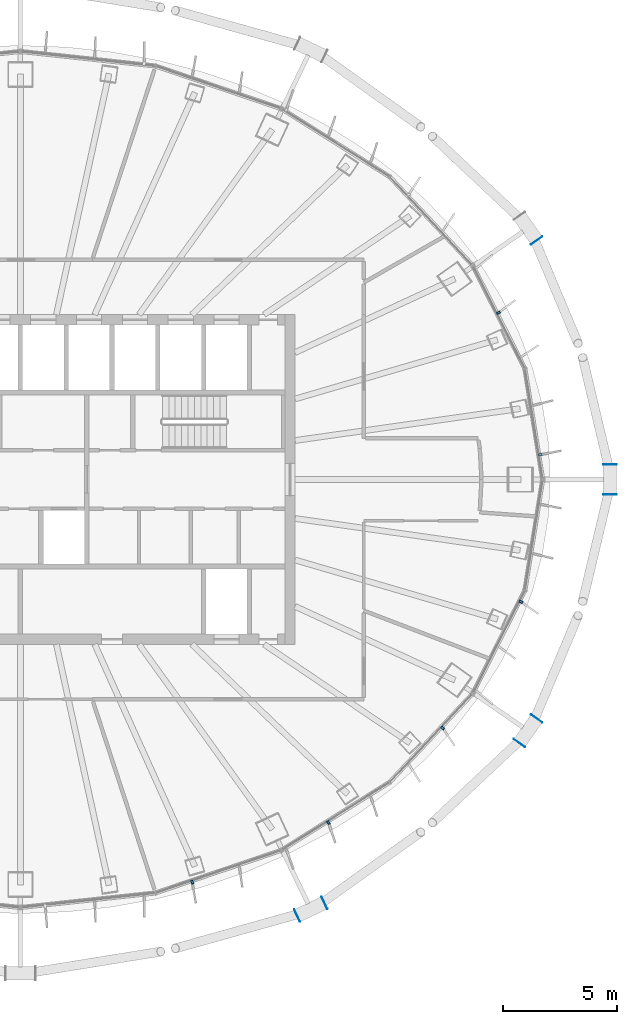
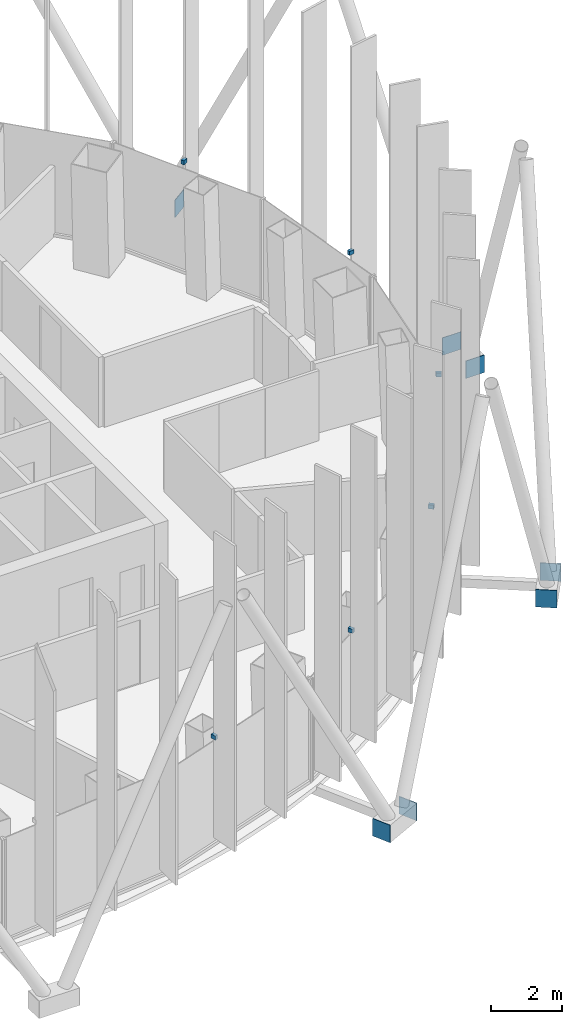
# One storey, part 12 of 17: 13 discrete accessories.
"""IFC4 building model written with IfcOpenShell, lengths in metres."""

from ifc_helpers import new_model, si_unit, direction, frame, origin, origin_2d, place, context, subcontext, project, spatial, rectangle, extrude, material, layer, layer_set, type_object, element, save


model = new_model("IFC4")

# Units and contexts
model_context = context("Model", 3, precision=1e-05, world=origin(), true_north=direction((0.0, 1.0)))
body_context = subcontext(model_context, "Body", "Model", "MODEL_VIEW")
ifc_project = project(units=[si_unit("LENGTHUNIT", "METRE"), si_unit("AREAUNIT", "SQUARE_METRE"), si_unit("VOLUMEUNIT", "CUBIC_METRE"), si_unit("PLANEANGLEUNIT", "RADIAN"), si_unit("MASSUNIT", "GRAM", prefix="KILO")], contexts=[model_context])

# Site, building, storey
site_placement = place(None, origin())
site = spatial("IfcSite", under=ifc_project, at=site_placement, CompositionType="ELEMENT")
building_placement = place(site_placement, origin())
building = spatial("IfcBuilding", under=site, at=building_placement, Name="Siaravel Broadcast Tower", CompositionType="ELEMENT")
storey_placement = place(building_placement, frame((0.0, 0.0, 190.39990234375)))
storey = spatial("IfcBuildingStorey", under=building, at=storey_placement, Name="L46", CompositionType="ELEMENT", Elevation=190.39990234375)

# Discrete accessories
ifc_material_1 = material(Name="Stainless steel 316", Category="steel")
discrete_accessory_type_1 = type_object("IfcDiscreteAccessoryType", Name="Stainless steel fin bracket", PredefinedType="USERDEFINED", material=ifc_material_1)
for number, where, z_axis, x_axis, name in (
    (1, (22.70703125, 1.08349609375, 3.68017578125), (0.0, 0.0, 1.0), (0.987329198, 0.158685394, 0.0), "Fin bracket L46-01"),
    (2, (20.876220703125, 7.28173828125, 3.68017578125), (0.0, 0.0, 1.0), (0.892392151, 0.451260732, 0.0), "Fin bracket L46-04"),
    (3, (7.502685546875, -17.58740234375, 3.68017578125), (0.0, 0.0, 1.0), (0.321300635, -0.946977245, 0.0), "Fin bracket L46-49"),
    (4, (13.450439453125, -14.985595703125, 3.68017578125), (0.0, 0.0, 1.0), (0.532149452, -0.846650436, 0.0), "Fin bracket L46-52"),
    (5, (18.441650390625, -10.851318359375, 3.68017578125), (0.0, 0.0, 1.0), (0.729805608, -0.683654718, 0.0), "Fin bracket L46-55"),
    (6, (21.856689453125, -5.34326171875, 3.68017578125), (0.0, 0.0, 1.0), (0.892392151, -0.451260732, 0.0), "Fin bracket L46-58"),
):
    element("IfcDiscreteAccessory", number, at=place(storey_placement, frame(where, z_axis=z_axis, x_axis=x_axis)), inside=storey, type_object=discrete_accessory_type_1, Name=name, ObjectType="BRACKET", PredefinedType="USERDEFINED", context=body_context, shape_type="SweptSolid", body=[
        extrude(rectangle(XDim=0.159912109375, YDim=0.10009765625, at=origin_2d()), origin(), (0.0, 0.0, 1.0), 0.139892578125),
    ])
ifc_material_2 = material(Name="Steel S355", Category="steel")
ifc_layer = layer(ifc_material_2, 0.02001953125)
ifc_layer_set = layer_set([ifc_layer], Name="Steel S355")
discrete_accessory_type_2 = type_object("IfcDiscreteAccessoryType", Name="Steel end plate 20 mm", PredefinedType="USERDEFINED", material=ifc_layer_set)
for number, where, z_axis, x_axis, name in (
    (7, (25.744384765625, 0.65673828125, -0.5), (0.0, 0.0, 1.0), (0.0, 1.0, 0.0), "End plate R19 station 00A"),
    (8, (25.744384765625, -0.65673828125, -0.5), (0.0, 0.0, 1.0), (0.0, 1.0, 0.0), "End plate R19 station 00B"),
    (9, (22.547119140625, 10.440185546875, -0.5), (0.0, 0.0, 1.0), (-0.576119939, 0.817365167, 0.0), "End plate R19 station 06B"),
    (10, (13.277587890625, -18.487548828125, -0.5), (0.0, 0.0, 1.0), (0.904007202, 0.427517227, 0.0), "End plate R19 station 60A"),
    (11, (12.090087890625, -19.04931640625, -0.5), (0.0, 0.0, 1.0), (0.904007202, 0.427517227, 0.0), "End plate R19 station 60B"),
    (12, (22.547119140625, -10.440185546875, -0.5), (0.0, 0.0, 1.0), (0.576119939, 0.817365167, 0.0), "End plate R19 station 66A"),
    (13, (21.79052734375, -11.513671875, -0.5), (0.0, 0.0, 1.0), (0.576119939, 0.817365167, 0.0), "End plate R19 station 66B"),
):
    element("IfcDiscreteAccessory", number, at=place(storey_placement, frame(where, z_axis=z_axis, x_axis=x_axis)), inside=storey, type_object=discrete_accessory_type_2, Name=name, ObjectType="END PLATE", PredefinedType="USERDEFINED", context=body_context, shape_type="SweptSolid", body=[
        extrude(rectangle(XDim=0.02001953125, YDim=0.60009765625, at=origin_2d()), origin(), (0.0, 0.0, 1.0), 0.60009765625),
    ])

save(model, "model.ifc")
